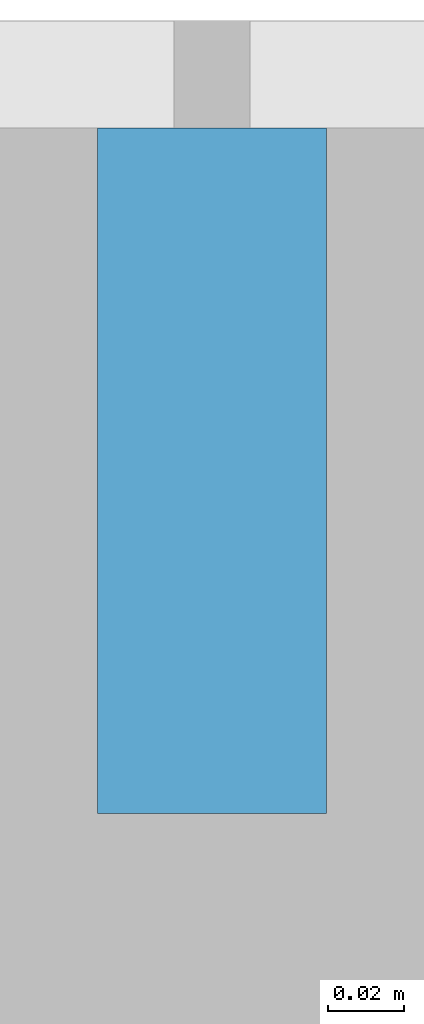
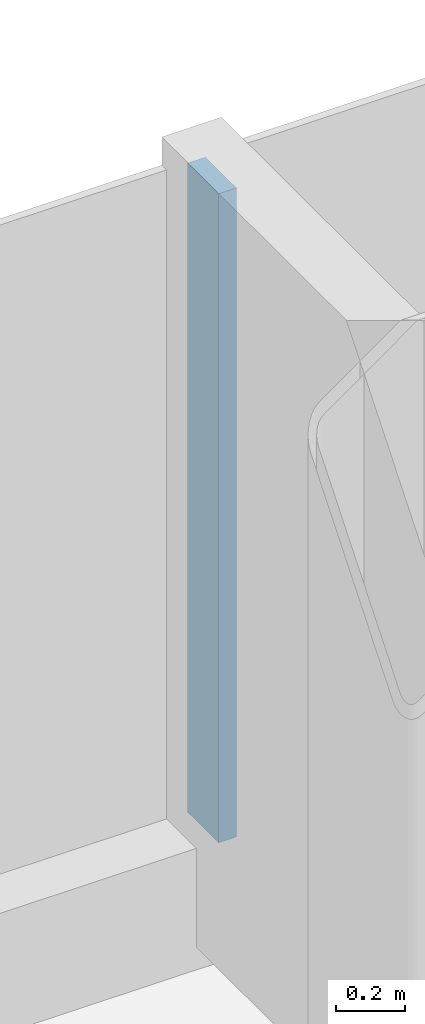
# One storey, part 9 of 26: 1 member, 1 element without a shape of its own.
"""IFC4 building model written with IfcOpenShell, lengths in metres."""

from ifc_helpers import new_model, si_unit, direction, frame, origin, origin_2d, place, context, subcontext, project, spatial, rectangle, extrude, material, layer, layer_set, material_profile, profile_set, type_object, element, aggregate, save


model = new_model("IFC4")

# Units and contexts
model_context = context("Model", 3, precision=1e-05, world=origin(), true_north=direction((0.0, 1.0)))
body_context = subcontext(model_context, "Body", "Model", "MODEL_VIEW")
ifc_project = project(units=[si_unit("LENGTHUNIT", "METRE"), si_unit("AREAUNIT", "SQUARE_METRE"), si_unit("VOLUMEUNIT", "CUBIC_METRE"), si_unit("PLANEANGLEUNIT", "RADIAN"), si_unit("MASSUNIT", "GRAM", prefix="KILO")], contexts=[model_context])

# Site, building, storey
site_placement = place(None, origin())
site = spatial("IfcSite", under=ifc_project, at=site_placement, CompositionType="ELEMENT")
building_placement = place(site_placement, origin())
building = spatial("IfcBuilding", under=site, at=building_placement, Name="Hakoniwa Tower and Hamabe Station Hall", CompositionType="ELEMENT")
storey_placement = place(building_placement, frame((0.0, 0.0, 189.800048828125)))
storey = spatial("IfcBuildingStorey", under=building, at=storey_placement, Name="L53", CompositionType="ELEMENT", Elevation=189.800048828125)

# Curtain wall, member
ifc_material_1 = material(Name="Dark low-e laminated glass", Category="glass")
ifc_layer = layer(ifc_material_1, 0.199951171875)
ifc_layer_set = layer_set([ifc_layer], Name="CW-1 UNITISED GUEST")
curtain_wall_type = type_object("IfcCurtainWallType", Name="CW-1 UNITISED GUEST", PredefinedType="NOTDEFINED", material=ifc_layer_set)
curtain_wall_placement = place(storey_placement, origin())
curtain_wall = element("IfcCurtainWall", 1, at=curtain_wall_placement, inside=storey, type_object=curtain_wall_type, Name="CW-1 curtain wall", PredefinedType="NOTDEFINED")
ifc_material_2 = material(Name="Aluminium 6063-T5 black anodised", Category="aluminium")
ifc_material_profile = material_profile(ifc_material_2, rectangle(XDim=0.06005859375, YDim=0.179931640625, at=origin_2d()), Name="CW-1 MULLION 60X180")
ifc_profile_set = profile_set([ifc_material_profile], Name="Aluminium 6063-T5 black anodised")
member_type = type_object("IfcMemberType", Name="CW-1 MULLION 60X180", PredefinedType="MULLION", material=ifc_profile_set)
member_placement = place(storey_placement, frame((16.800048828125, 20.431884765625, 0.349853515625), z_axis=(0.0, 0.0, 1.0), x_axis=(-1.0, 0.0, 0.0)))
member = element("IfcMember", 2, at=member_placement, type_object=member_type, Name="CW-1 mullion", PredefinedType="MULLION", context=body_context, shape_type="SweptSolid", body=[
    extrude(rectangle(XDim=0.06005859375, YDim=0.179931640625, at=origin_2d()), origin(), (0.0, 0.0, 1.0), 2.300048828125),
])
aggregate(curtain_wall, [member])

save(model, "model.ifc")
